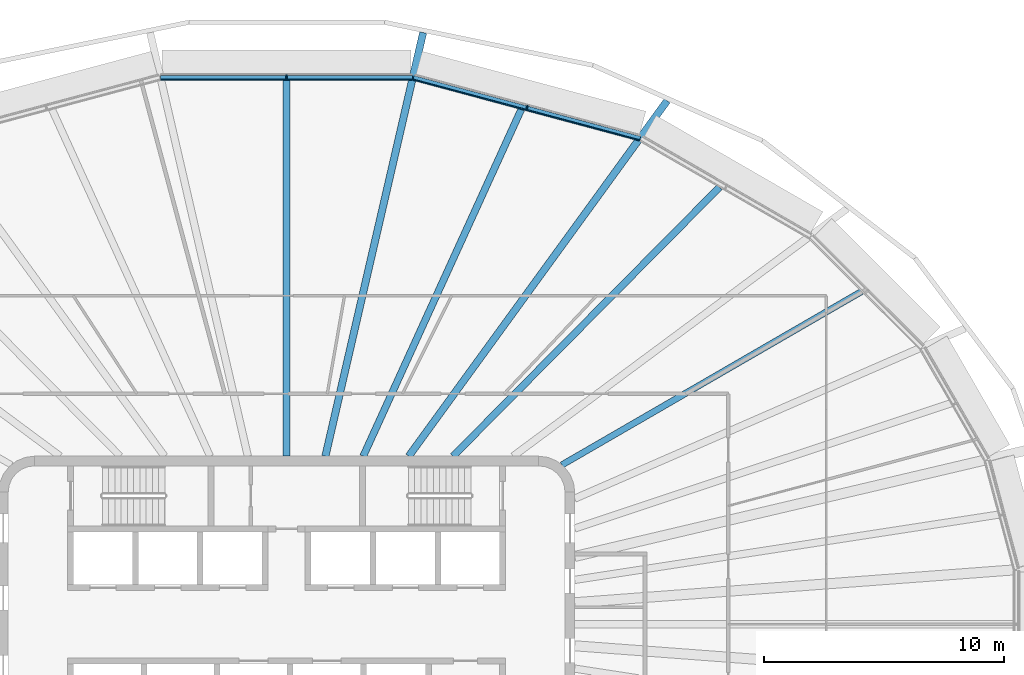
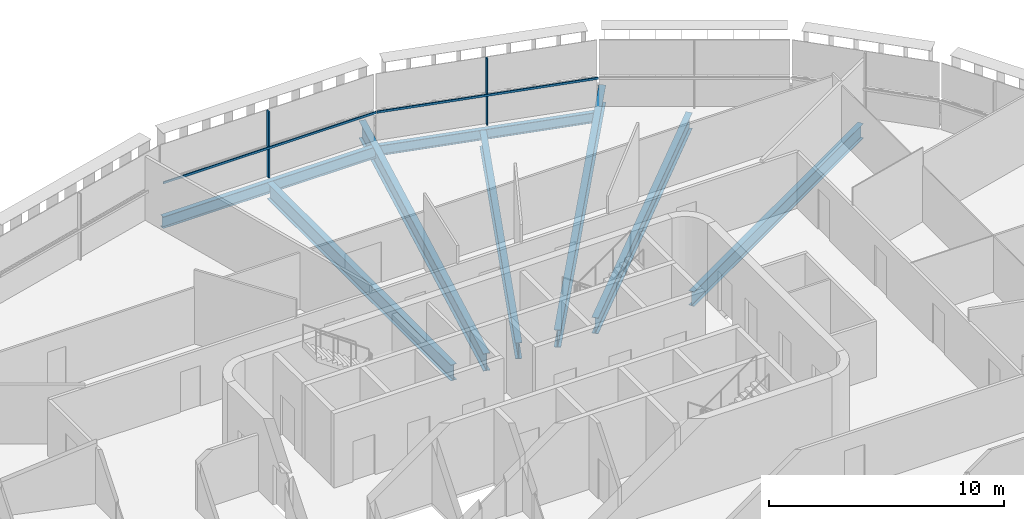
# One storey, part 6 of 20: 8 beams, 4 members, 2 elements without a shape of their own.
"""IFC4 building model written with IfcOpenShell, lengths in metres."""

from ifc_helpers import new_model, si_unit, direction, frame, origin, origin_2d, place, context, subcontext, project, spatial, rectangle, i_section, extrude, material, layer, layer_set, material_profile, profile_set, type_object, element, aggregate, save


model = new_model("IFC4")

# Units and contexts
model_context = context("Model", 3, precision=1e-05, world=origin(), true_north=direction((0.0, 1.0)))
body_context = subcontext(model_context, "Body", "Model", "MODEL_VIEW")
ifc_project = project(units=[si_unit("LENGTHUNIT", "METRE"), si_unit("AREAUNIT", "SQUARE_METRE"), si_unit("VOLUMEUNIT", "CUBIC_METRE"), si_unit("PLANEANGLEUNIT", "RADIAN"), si_unit("MASSUNIT", "GRAM", prefix="KILO")], contexts=[model_context])

# Site, building, storey
site_placement = place(None, origin())
site = spatial("IfcSite", under=ifc_project, at=site_placement, CompositionType="ELEMENT")
building_placement = place(site_placement, origin())
building = spatial("IfcBuilding", under=site, at=building_placement, Name="Sahrelin Media Tower", CompositionType="ELEMENT")
storey_placement = place(building_placement, frame((0.0, 0.0, 225.60009765625)))
storey = spatial("IfcBuildingStorey", under=building, at=storey_placement, Name="L48", CompositionType="ELEMENT", Elevation=225.60009765625)

# Beams
ifc_material_1 = material(Name="Steel S355", Category="steel")
ifc_material_profile_1 = material_profile(ifc_material_1, i_section(OverallWidth=0.208740234375, OverallDepth=0.5283203125, WebThickness=0.009521484375, FlangeThickness=0.01318359375, FilletRadius=0.0126953125, at=origin_2d()), Name="UB 533x210x82")
ifc_profile_set_1 = profile_set([ifc_material_profile_1], Name="Steel S355")
beam_type_1 = type_object("IfcBeamType", Name="Edge beam EB6", PredefinedType="BEAM", material=ifc_profile_set_1)
beam_1_placement = place(storey_placement, frame((5.279296875, 22.7490234375, -0.414306640625), z_axis=(0.965927541634, -0.258812643265, 0.0), x_axis=(0.258812643265, 0.965927541634, 0.0)))
element("IfcBeam", 1, at=beam_1_placement, inside=storey, type_object=beam_type_1, Name="Edge beam L48-16", PredefinedType="BEAM", context=body_context, shape_type="SweptSolid", body=[
    extrude(i_section(OverallWidth=0.208740234375, OverallDepth=0.5283203125, WebThickness=0.009521484375, FlangeThickness=0.01318359375, FilletRadius=0.0126953125, at=origin_2d()), origin(), (0.0, 0.0, 1.0), 9.7763671875),
])
ifc_material_profile_2 = material_profile(ifc_material_1, i_section(OverallWidth=0.2275390625, OverallDepth=0.6025390625, WebThickness=0.010498046875, FlangeThickness=0.014892578125, FilletRadius=0.0126953125, at=origin_2d()), Name="UB 610x229x101")
ifc_profile_set_2 = profile_set([ifc_material_profile_2], Name="Steel S355")
beam_type_2 = type_object("IfcBeamType", Name="Edge beam EB7", PredefinedType="BEAM", material=ifc_profile_set_2)
beam_2_placement = place(storey_placement, frame((-5.25048828125, 22.752685546875, -0.451416015625), z_axis=(1.0, 0.0, 0.0), x_axis=(0.0, 1.0, 0.0)))
element("IfcBeam", 2, at=beam_2_placement, inside=storey, type_object=beam_type_2, Name="Edge beam L48-15", PredefinedType="BEAM", context=body_context, shape_type="SweptSolid", body=[
    extrude(i_section(OverallWidth=0.2275390625, OverallDepth=0.6025390625, WebThickness=0.010498046875, FlangeThickness=0.014892578125, FilletRadius=0.0126953125, at=origin_2d()), origin(), (0.0, 0.0, 1.0), 10.5009765625),
])

# Curtain wall, member
ifc_material_2 = material(Name="Champagne anodised aluminium 6063-T6", Category="aluminium")
ifc_layer = layer(ifc_material_2, 0.14990234375)
ifc_layer_set = layer_set([ifc_layer], Name="Tower ribbon curtain wall")
curtain_wall_type = type_object("IfcCurtainWallType", Name="Tower ribbon curtain wall", PredefinedType="NOTDEFINED", material=ifc_layer_set)
curtain_wall_1_placement = place(storey_placement, frame((10.039794921875, 21.62890625, 0.0), z_axis=(0.0, 0.0, 1.0), x_axis=(1.0, 0.0, 0.0)))
curtain_wall_1 = element("IfcCurtainWall", 3, at=curtain_wall_1_placement, inside=storey, type_object=curtain_wall_type, Name="L48:CW:L48-05", PredefinedType="NOTDEFINED")
ifc_material_profile_3 = material_profile(ifc_material_2, rectangle(XDim=0.06005859375, YDim=0.175048828125, at=origin_2d()), Name="Mullion 60x175")
ifc_profile_set_3 = profile_set([ifc_material_profile_3], Name="Champagne anodised aluminium 6063-T6")
member_type_1 = type_object("IfcMemberType", Name="Mullion 60x175 CW1B", PredefinedType="MULLION", material=ifc_profile_set_3)
member_1_placement = place(storey_placement, frame((10.011962890625, 21.52490234375, 0.0), z_axis=(0.0, 0.0, 1.0), x_axis=(-0.965926278012, 0.258817359244, 0.0)))
member_1 = element("IfcMember", 4, at=member_1_placement, type_object=member_type_1, Name="L48:CWM:L48-05", PredefinedType="MULLION", context=body_context, shape_type="SweptSolid", body=[
    extrude(rectangle(XDim=0.06005859375, YDim=0.175048828125, at=origin_2d()), origin(), (0.0, 0.0, 1.0), 3.448486328125),
])

curtain_wall_2_placement = place(storey_placement, frame((0.0, 22.90283203125, 0.0), z_axis=(0.0, 0.0, 1.0), x_axis=(1.0, 0.0, 0.0)))
curtain_wall_2 = element("IfcCurtainWall", 5, at=curtain_wall_2_placement, inside=storey, type_object=curtain_wall_type, Name="L48:CW:L48-06", PredefinedType="NOTDEFINED")
member_2_placement = place(storey_placement, frame((0.0, 22.79541015625, 0.0), z_axis=(0.0, 0.0, 1.0), x_axis=(-1.0, 0.0, 0.0)))
member_2 = element("IfcMember", 6, at=member_2_placement, type_object=member_type_1, Name="L48:CWM:L48-06", PredefinedType="MULLION", context=body_context, shape_type="SweptSolid", body=[
    extrude(rectangle(XDim=0.06005859375, YDim=0.175048828125, at=origin_2d()), origin(), (0.0, 0.0, 1.0), 3.448486328125),
])

# Beams
ifc_material_profile_4 = material_profile(ifc_material_1, i_section(OverallWidth=0.30322265625, OverallDepth=0.903076171875, WebThickness=0.01513671875, FlangeThickness=0.020263671875, FilletRadius=0.01904296875, at=origin_2d()), Name="UB 914x305x201")
ifc_profile_set_4 = profile_set([ifc_material_profile_4], Name="Steel S355")
beam_type_3 = type_object("IfcBeamType", Name="Radial primary beam PB11", PredefinedType="BEAM", material=ifc_profile_set_4)
beam_3_placement = place(storey_placement, frame((5.087890625, 7.0, -0.6015625), z_axis=(0.587944035453, 0.808901607846, 0.0), x_axis=(-0.808901607846, 0.587944035453, 0.0)))
element("IfcBeam", 7, at=beam_3_placement, inside=storey, type_object=beam_type_3, Name="Radial beam L48-05", PredefinedType="BEAM", context=body_context, shape_type="SweptSolid", body=[
    extrude(i_section(OverallWidth=0.30322265625, OverallDepth=0.903076171875, WebThickness=0.01513671875, FlangeThickness=0.020263671875, FilletRadius=0.01904296875, at=origin_2d()), origin(), (0.0, 0.0, 1.0), 18.302001953125),
])
beam_4_placement = place(storey_placement, frame((1.615234375, 7.0, -0.6015625), z_axis=(0.224839811438, 0.974395740545, 0.0), x_axis=(-0.974395740545, 0.224839811438, 0.0)))
element("IfcBeam", 8, at=beam_4_placement, inside=storey, type_object=beam_type_3, Name="Radial beam L48-06", PredefinedType="BEAM", context=body_context, shape_type="SweptSolid", body=[
    extrude(i_section(OverallWidth=0.30322265625, OverallDepth=0.903076171875, WebThickness=0.01513671875, FlangeThickness=0.020263671875, FilletRadius=0.01904296875, at=origin_2d()), origin(), (0.0, 0.0, 1.0), 18.1064453125),
])
ifc_material_profile_5 = material_profile(ifc_material_1, i_section(OverallWidth=0.291748046875, OverallDepth=0.8349609375, WebThickness=0.013916015625, FlangeThickness=0.018798828125, FilletRadius=0.017822265625, at=origin_2d()), Name="UB 838x292x176")
ifc_profile_set_5 = profile_set([ifc_material_profile_5], Name="Steel S355")
beam_type_4 = type_object("IfcBeamType", Name="Radial secondary beam SB10", PredefinedType="BEAM", material=ifc_profile_set_5)
beam_5_placement = place(storey_placement, frame((6.93359375, 7.0, -0.567626953125), z_axis=(0.703723553011, 0.710473898843, 0.0), x_axis=(-0.710473898843, 0.703723553011, 0.0)))
element("IfcBeam", 9, at=beam_5_placement, inside=storey, type_object=beam_type_4, Name="Secondary beam L48-04", PredefinedType="BEAM", context=body_context, shape_type="SweptSolid", body=[
    extrude(i_section(OverallWidth=0.291748046875, OverallDepth=0.8349609375, WebThickness=0.013916015625, FlangeThickness=0.018798828125, FilletRadius=0.017822265625, at=origin_2d()), origin(), (0.0, 0.0, 1.0), 15.768798828125),
])
beam_6_placement = place(storey_placement, frame((3.1904296875, 7.0, -0.567626953125), z_axis=(0.414733659063, 0.909942850975, 0.0), x_axis=(-0.909942850975, 0.414733659063, 0.0)))
element("IfcBeam", 10, at=beam_6_placement, inside=storey, type_object=beam_type_4, Name="Secondary beam L48-05", PredefinedType="BEAM", context=body_context, shape_type="SweptSolid", body=[
    extrude(i_section(OverallWidth=0.291748046875, OverallDepth=0.8349609375, WebThickness=0.013916015625, FlangeThickness=0.018798828125, FilletRadius=0.017822265625, at=origin_2d()), origin(), (0.0, 0.0, 1.0), 15.866455078125),
])
beam_7_placement = place(storey_placement, frame((0.0, 7.0, -0.567626953125), z_axis=(0.0, 1.0, 0.0), x_axis=(-1.0, 0.0, 0.0)))
element("IfcBeam", 11, at=beam_7_placement, inside=storey, type_object=beam_type_4, Name="Secondary beam L48-06", PredefinedType="BEAM", context=body_context, shape_type="SweptSolid", body=[
    extrude(i_section(OverallWidth=0.291748046875, OverallDepth=0.8349609375, WebThickness=0.013916015625, FlangeThickness=0.018798828125, FilletRadius=0.017822265625, at=origin_2d()), origin(), (0.0, 0.0, 1.0), 15.638916015625),
])
ifc_material_profile_6 = material_profile(ifc_material_1, i_section(OverallWidth=0.26513671875, OverallDepth=0.75390625, WebThickness=0.0126953125, FlangeThickness=0.017578125, FilletRadius=0.0166015625, at=origin_2d()), Name="UB 762x267x147")
ifc_profile_set_6 = profile_set([ifc_material_profile_6], Name="Steel S355")
beam_type_5 = type_object("IfcBeamType", Name="Radial secondary beam SB9", PredefinedType="BEAM", material=ifc_profile_set_6)
beam_8_placement = place(storey_placement, frame((11.464599609375, 6.634521484375, -0.527099609375), z_axis=(0.865518905794, 0.500876255889, 0.0), x_axis=(-0.500876255889, 0.865518905794, 0.0)))
element("IfcBeam", 12, at=beam_8_placement, inside=storey, type_object=beam_type_5, Name="Secondary beam L48-03", PredefinedType="BEAM", context=body_context, shape_type="SweptSolid", body=[
    extrude(i_section(OverallWidth=0.26513671875, OverallDepth=0.75390625, WebThickness=0.0126953125, FlangeThickness=0.017578125, FilletRadius=0.0166015625, at=origin_2d()), origin(), (0.0, 0.0, 1.0), 14.43505859375),
])

# Member
ifc_material_profile_7 = material_profile(ifc_material_2, rectangle(XDim=0.050048828125, YDim=0.110107421875, at=origin_2d()), Name="Transom 50x110")
ifc_profile_set_7 = profile_set([ifc_material_profile_7], Name="Champagne anodised aluminium 6063-T6")
member_type_2 = type_object("IfcMemberType", Name="Transom 50x110 CW1B", PredefinedType="USERDEFINED", material=ifc_profile_set_7)
member_3_placement = place(storey_placement, frame((14.689453125, 20.155029296875, 1.599853515625), z_axis=(-0.965919870225, 0.258841272413, 0.0), x_axis=(-0.258841272413, -0.965919870225, 0.0)))
member_3 = element("IfcMember", 13, at=member_3_placement, type_object=member_type_2, Name="L48:CWT:L48-05", ObjectType="TRANSOM", PredefinedType="USERDEFINED", context=body_context, shape_type="SweptSolid", body=[
    extrude(rectangle(XDim=0.050048828125, YDim=0.110107421875, at=origin_2d()), origin(), (0.0, 0.0, 1.0), 9.7451171875),
])

aggregate(curtain_wall_1, [member_1, member_3])

member_4_placement = place(storey_placement, frame((5.23486328125, 22.682861328125, 1.599853515625), z_axis=(-1.0, 0.0, 0.0), x_axis=(0.0, -1.0, 0.0)))
member_4 = element("IfcMember", 14, at=member_4_placement, type_object=member_type_2, Name="L48:CWT:L48-06", ObjectType="TRANSOM", PredefinedType="USERDEFINED", context=body_context, shape_type="SweptSolid", body=[
    extrude(rectangle(XDim=0.050048828125, YDim=0.110107421875, at=origin_2d()), origin(), (0.0, 0.0, 1.0), 10.4697265625),
])

aggregate(curtain_wall_2, [member_2, member_4])

save(model, "model.ifc")
